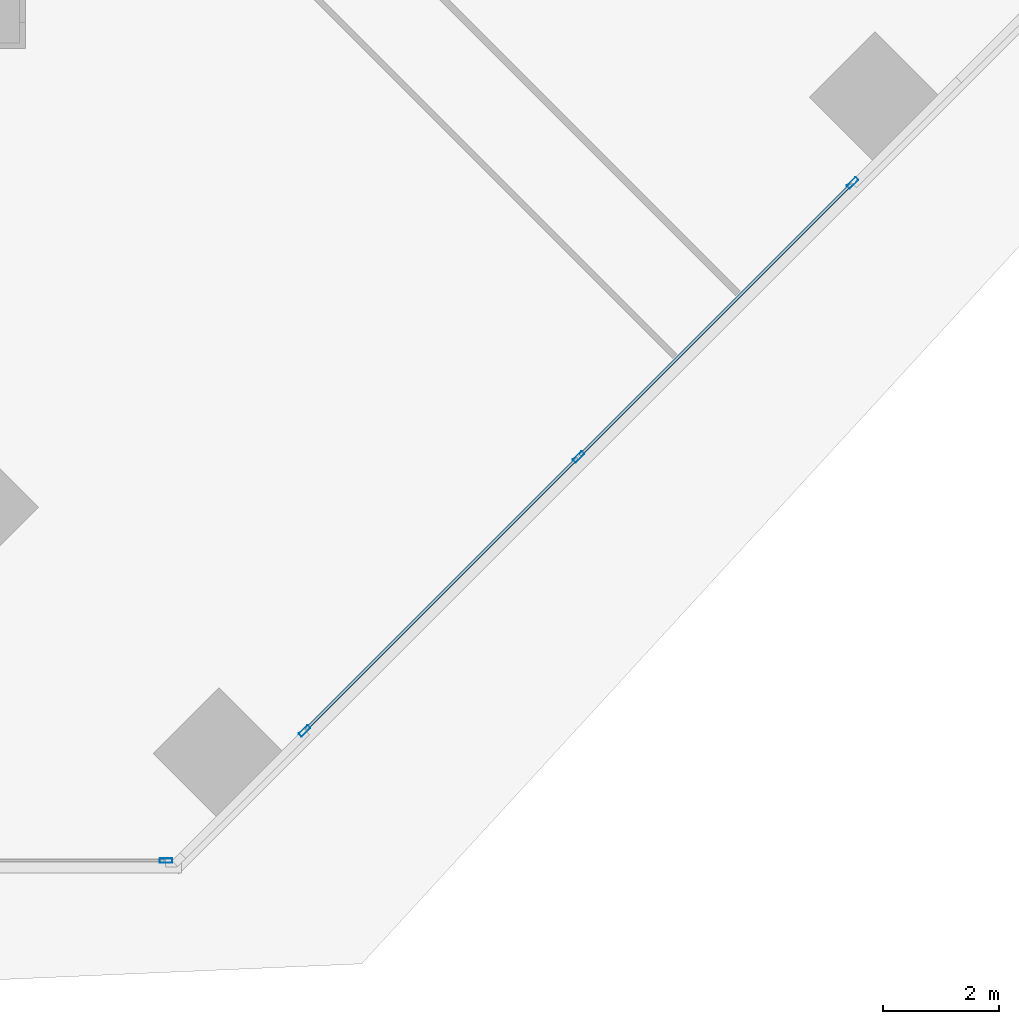
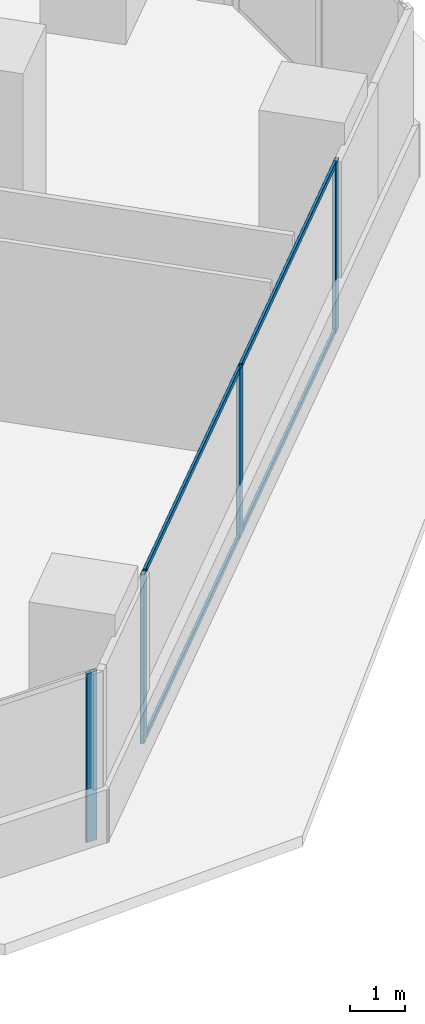
# One storey, part 6 of 17: 8 members, 2 elements without a shape of their own.
"""IFC4 building model written with IfcOpenShell, lengths in metres."""

from ifc_helpers import new_model, si_unit, direction, frame, origin, origin_2d, place, context, subcontext, project, spatial, hollow_rectangle, extrude, source, transform, mapped, material, material_profile, profile_set, type_object, element, aggregate, save


model = new_model("IFC4")

# Units and contexts
model_context = context("Model", 3, precision=1e-05, world=origin(), true_north=direction((0.0, 1.0)))
body_context = subcontext(model_context, "Body", "Model", "MODEL_VIEW")
ifc_project = project(units=[si_unit("LENGTHUNIT", "METRE"), si_unit("AREAUNIT", "SQUARE_METRE"), si_unit("VOLUMEUNIT", "CUBIC_METRE"), si_unit("PLANEANGLEUNIT", "RADIAN"), si_unit("MASSUNIT", "GRAM", prefix="KILO")], contexts=[model_context])

# Site, building, storey
site_placement = place(None, origin())
site = spatial("IfcSite", under=ifc_project, at=site_placement, CompositionType="ELEMENT")
building_placement = place(site_placement, origin())
building = spatial("IfcBuilding", under=site, at=building_placement, Name="Torre Montelarca", CompositionType="ELEMENT")
storey_placement = place(building_placement, frame((0.0, 0.0, 241.60009765625)))
storey = spatial("IfcBuildingStorey", under=building, at=storey_placement, Name="L54", CompositionType="ELEMENT", Elevation=241.60009765625)

# Curtain wall, member
ifc_material_1 = material(Name="Insulated low-E laminated glass", Category="glass")
curtain_wall_type = type_object("IfcCurtainWallType", Name="CW-SYS-Z3", PredefinedType="USERDEFINED", material=ifc_material_1)
curtain_wall_1_placement = place(storey_placement, origin())
curtain_wall_1 = element("IfcCurtainWall", 1, at=curtain_wall_1_placement, inside=storey, type_object=curtain_wall_type, Name="L54 Curtain Wall Run CW-T3-L54-E05-B1", ObjectType="UNITISED GLAZING", PredefinedType="USERDEFINED")
ifc_material_2 = material(Name="Anodised aluminium AA 6063-T6", Category="aluminium")
ifc_material_profile_1 = material_profile(ifc_material_2, hollow_rectangle(XDim=0.074951171875, YDim=0.219970703125, WallThickness=0.0048828125, InnerFilletRadius=0.0048828125, OuterFilletRadius=0.010009765625, at=origin_2d()), Name="ALU75X220X5", Category="aluminium")
ifc_profile_set_1 = profile_set([ifc_material_profile_1], Name="Anodised aluminium AA 6063-T6")
member_type_1 = type_object("IfcMemberType", Name="CWM-ALU220", PredefinedType="MULLION", material=ifc_profile_set_1)
shared_shape_1 = source(origin(), body_context, "Body", "SweptSolid", [
    extrude(hollow_rectangle(XDim=0.074951171875, YDim=0.219970703125, WallThickness=0.0048828125, InnerFilletRadius=0.0048828125, OuterFilletRadius=0.010009765625, at=origin_2d()), origin(), (0.0, 0.0, 1.0), 3.719970703125),
])
member_1_placement = place(storey_placement, frame((29.428466796875, 9.99755859375, 0.0), z_axis=(0.0, 0.0, 1.0), x_axis=(0.0, 1.0, 0.0)))
member_1 = element("IfcMember", 2, at=member_1_placement, type_object=member_type_1, Name="CW mullion 3", PredefinedType="MULLION", context=body_context, shape_type="MappedRepresentation", body=[
    mapped(shared_shape_1, transform((0.0, 0.0, 0.0), scale=1.0)),
])
aggregate(curtain_wall_1, [member_1])

# Curtain wall, members
curtain_wall_2_placement = place(storey_placement, origin())
curtain_wall_2 = element("IfcCurtainWall", 3, at=curtain_wall_2_placement, inside=storey, type_object=curtain_wall_type, Name="L54 Curtain Wall Run CW-T3-L54-E06-B1", ObjectType="UNITISED GLAZING", PredefinedType="USERDEFINED")
member_2_placement = place(storey_placement, frame((31.81494140625, 12.234619140625, 0.0), z_axis=(0.0, 0.0, 1.0), x_axis=(-0.707106781187, 0.707106781187, 0.0)))
member_2 = element("IfcMember", 4, at=member_2_placement, type_object=member_type_1, Name="CW mullion 1", PredefinedType="MULLION", context=body_context, shape_type="MappedRepresentation", body=[
    mapped(shared_shape_1, transform((0.0, 0.0, 0.0), scale=1.0)),
])
member_3_placement = place(storey_placement, frame((36.5400390625, 16.9599609375, 0.0), z_axis=(0.0, 0.0, 1.0), x_axis=(-0.707106781187, 0.707106781187, 0.0)))
member_3 = element("IfcMember", 5, at=member_3_placement, type_object=member_type_1, Name="CW mullion 2", PredefinedType="MULLION", context=body_context, shape_type="MappedRepresentation", body=[
    mapped(shared_shape_1, transform((0.0, 0.0, 0.0), scale=1.0)),
])
member_4_placement = place(storey_placement, frame((41.265380859375, 21.68505859375, 0.0), z_axis=(0.0, 0.0, 1.0), x_axis=(-0.707106781187, 0.707106781187, 0.0)))
member_4 = element("IfcMember", 6, at=member_4_placement, type_object=member_type_1, Name="CW mullion 3", PredefinedType="MULLION", context=body_context, shape_type="MappedRepresentation", body=[
    mapped(shared_shape_1, transform((0.0, 0.0, 0.0), scale=1.0)),
])
ifc_material_profile_2 = material_profile(ifc_material_2, hollow_rectangle(XDim=0.054931640625, YDim=0.1201171875, WallThickness=0.00341796875, InnerFilletRadius=0.00341796875, OuterFilletRadius=0.007080078125, at=origin_2d()), Name="ALU55X120X3.5", Category="aluminium")
ifc_profile_set_2 = profile_set([ifc_material_profile_2], Name="Anodised aluminium AA 6063-T6")
member_type_2 = type_object("IfcMemberType", Name="CWT-ALU120", PredefinedType="USERDEFINED", material=ifc_profile_set_2)
shared_shape_2 = source(origin(), body_context, "Body", "SweptSolid", [
    extrude(hollow_rectangle(XDim=0.054931640625, YDim=0.1201171875, WallThickness=0.00341796875, InnerFilletRadius=0.00341796875, OuterFilletRadius=0.007080078125, at=origin_2d()), origin(), (0.0, 0.0, 1.0), 6.607421875),
])
member_5_placement = place(storey_placement, frame((31.841552734375, 12.26123046875, 0.02734375), z_axis=(0.707106781187, 0.707106781187, 0.0), x_axis=(-0.707106781187, 0.707106781187, 0.0)))
member_5 = element("IfcMember", 7, at=member_5_placement, type_object=member_type_2, Name="CW transom 1.1", ObjectType="TRANSOM", PredefinedType="USERDEFINED", context=body_context, shape_type="MappedRepresentation", body=[
    mapped(shared_shape_2, transform((0.0, 0.0, 0.0), scale=1.0)),
])
member_6_placement = place(storey_placement, frame((31.841552734375, 12.26123046875, 3.6923828125), z_axis=(0.707106781187, 0.707106781187, 0.0), x_axis=(-0.707106781187, 0.707106781187, 0.0)))
member_6 = element("IfcMember", 8, at=member_6_placement, type_object=member_type_2, Name="CW transom 1.2", ObjectType="TRANSOM", PredefinedType="USERDEFINED", context=body_context, shape_type="MappedRepresentation", body=[
    mapped(shared_shape_2, transform((0.0, 0.0, 0.0), scale=1.0)),
])
member_7_placement = place(storey_placement, frame((36.566650390625, 16.986328125, 0.02734375), z_axis=(0.707106781187, 0.707106781187, 0.0), x_axis=(-0.707106781187, 0.707106781187, 0.0)))
member_7 = element("IfcMember", 9, at=member_7_placement, type_object=member_type_2, Name="CW transom 2.1", ObjectType="TRANSOM", PredefinedType="USERDEFINED", context=body_context, shape_type="MappedRepresentation", body=[
    mapped(shared_shape_2, transform((0.0, 0.0, 0.0), scale=1.0)),
])
member_8_placement = place(storey_placement, frame((36.566650390625, 16.986328125, 3.6923828125), z_axis=(0.707106781187, 0.707106781187, 0.0), x_axis=(-0.707106781187, 0.707106781187, 0.0)))
member_8 = element("IfcMember", 10, at=member_8_placement, type_object=member_type_2, Name="CW transom 2.2", ObjectType="TRANSOM", PredefinedType="USERDEFINED", context=body_context, shape_type="MappedRepresentation", body=[
    mapped(shared_shape_2, transform((0.0, 0.0, 0.0), scale=1.0)),
])
aggregate(curtain_wall_2, [member_2, member_3, member_4, member_5, member_6, member_7, member_8])

save(model, "model.ifc")
